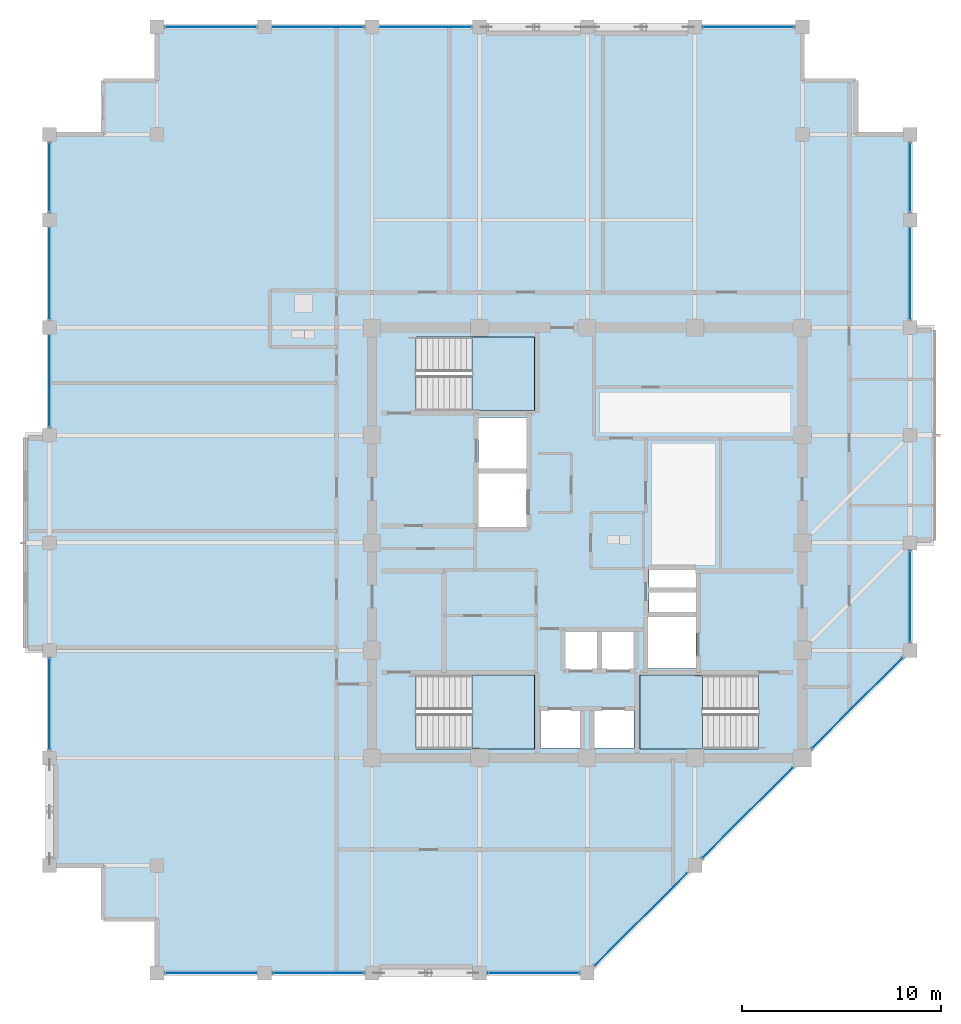
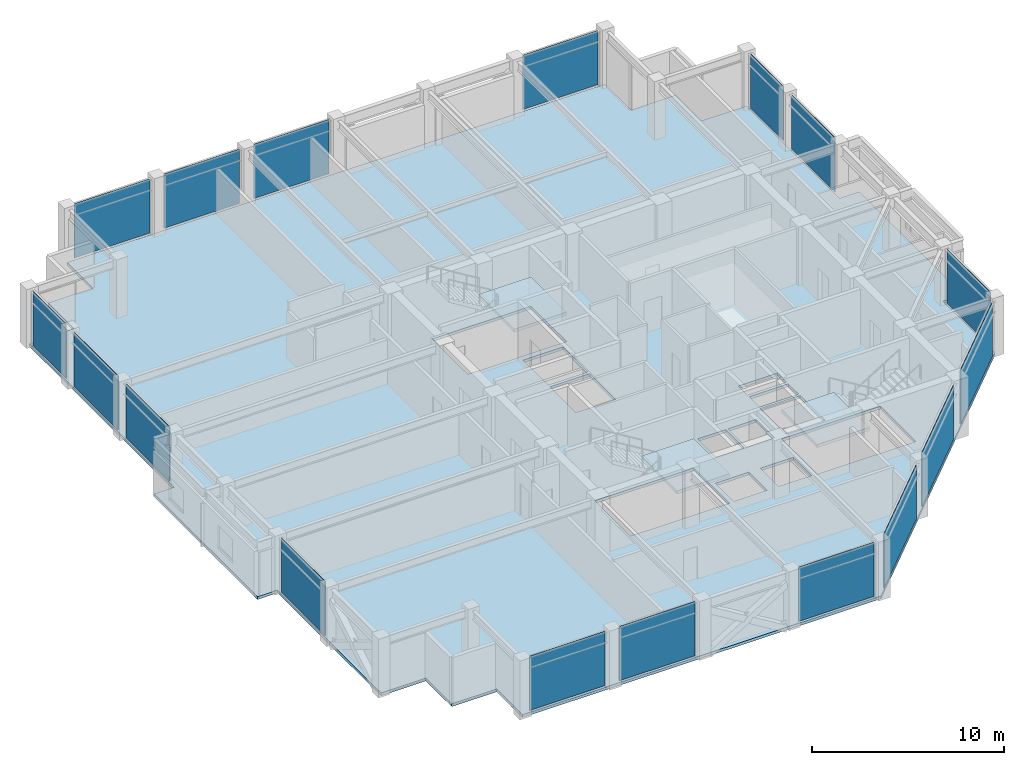
# One storey, part 20 of 29: 17 plates, 4 slabs, 12 elements without a shape of their own.
"""IFC4 building model written with IfcOpenShell, lengths in metres."""

from ifc_helpers import new_model, si_unit, direction, frame, frame_2d, origin, place, context, subcontext, project, spatial, polyline, rectangle, outline, extrude, material, layer, layer_set, type_object, element, aggregate, save


model = new_model("IFC4")

# Units and contexts
model_context = context("Model", 3, precision=1e-05, world=origin(), true_north=direction((0.0, 1.0)))
body_context = subcontext(model_context, "Body", "Model", "MODEL_VIEW")
ifc_project = project(units=[si_unit("LENGTHUNIT", "METRE"), si_unit("AREAUNIT", "SQUARE_METRE"), si_unit("VOLUMEUNIT", "CUBIC_METRE"), si_unit("PLANEANGLEUNIT", "RADIAN"), si_unit("MASSUNIT", "GRAM", prefix="KILO")], contexts=[model_context])

# Site, building, storey
site_placement = place(None, origin())
site = spatial("IfcSite", under=ifc_project, at=site_placement, CompositionType="ELEMENT")
building_placement = place(site_placement, origin())
building = spatial("IfcBuilding", under=site, at=building_placement, Name="Surkhivell Harbour Commons", CompositionType="ELEMENT")
storey_placement = place(building_placement, frame((0.0, 0.0, 273.75)))
storey = spatial("IfcBuildingStorey", under=building, at=storey_placement, Name="L71", CompositionType="ELEMENT", Elevation=273.75)

# Curtain wall, plates
ifc_material_1 = material(Name="Anodised pale-metal aluminium and insulated glazing", Category="aluminium")
ifc_layer_1 = layer(ifc_material_1, 0.175048828125)
ifc_layer_set_1 = layer_set([ifc_layer_1], Name="Anodised pale-metal aluminium and insulated glazing")
curtain_wall_type = type_object("IfcCurtainWallType", Name="CW-SYS-Z4", PredefinedType="NOTDEFINED", material=ifc_layer_set_1)
curtain_wall_1_placement = place(storey_placement, origin())
curtain_wall_1 = element("IfcCurtainWall", 1, at=curtain_wall_1_placement, inside=storey, type_object=curtain_wall_type, Name="L71 Curtain Wall CW-L71-E00S1", PredefinedType="NOTDEFINED")
ifc_material_2 = material(Name="Double-silver low-E laminated vision glass", Category="glass")
ifc_layer_2 = layer(ifc_material_2, 0.031982421875)
ifc_layer_set_2 = layer_set([ifc_layer_2], Name="Double-silver low-E laminated vision glass")
plate_type = type_object("IfcPlateType", Name="CWP-GLZ-32", PredefinedType="CURTAIN_PANEL", material=ifc_layer_set_2)
plate_1_placement = place(storey_placement, frame((-21.173095703125, -21.60009765625, 0.1298828125), z_axis=(0.0, 0.0, 1.0), x_axis=(1.0, 0.0, 0.0)))
plate_1 = element("IfcPlate", 2, at=plate_1_placement, type_object=plate_type, Name="CW-Z4 panel 1.1", PredefinedType="CURTAIN_PANEL", context=body_context, shape_type="SweptSolid", body=[
    extrude(rectangle(XDim=4.546142578125, YDim=0.031982421875, at=frame_2d((2.27294921875, 0.0))), origin(), (0.0, 0.0, 1.0), 3.440185546875),
])
plate_2_placement = place(storey_placement, frame((-15.77294921875, -21.60009765625, 0.1298828125), z_axis=(0.0, 0.0, 1.0), x_axis=(1.0, 0.0, 0.0)))
plate_2 = element("IfcPlate", 3, at=plate_2_placement, type_object=plate_type, Name="CW-Z4 panel 2.1", PredefinedType="CURTAIN_PANEL", context=body_context, shape_type="SweptSolid", body=[
    extrude(rectangle(XDim=4.5458984375, YDim=0.031982421875, at=frame_2d((2.27294921875, 0.0))), origin(), (0.0, 0.0, 1.0), 3.440185546875),
])
aggregate(curtain_wall_1, [plate_1, plate_2])

# Curtain wall, plate
curtain_wall_2_placement = place(storey_placement, origin())
curtain_wall_2 = element("IfcCurtainWall", 4, at=curtain_wall_2_placement, inside=storey, type_object=curtain_wall_type, Name="L71 Curtain Wall CW-L71-E00S2", PredefinedType="NOTDEFINED")
plate_3_placement = place(storey_placement, frame((-4.972900390625, -21.60009765625, 0.1298828125), z_axis=(0.0, 0.0, 1.0), x_axis=(1.0, 0.0, 0.0)))
plate_3 = element("IfcPlate", 5, at=plate_3_placement, type_object=plate_type, Name="CW-Z4 panel 1.1", PredefinedType="CURTAIN_PANEL", context=body_context, shape_type="SweptSolid", body=[
    extrude(rectangle(XDim=4.5458984375, YDim=0.031982421875, at=frame_2d((2.27294921875, 0.0))), origin(), (0.0, 0.0, 1.0), 3.440185546875),
])
aggregate(curtain_wall_2, [plate_3])

# Curtain wall, plates
curtain_wall_3_placement = place(storey_placement, origin())
curtain_wall_3 = element("IfcCurtainWall", 6, at=curtain_wall_3_placement, inside=storey, type_object=curtain_wall_type, Name="L71 Curtain Wall CW-L71-E01", PredefinedType="NOTDEFINED")
plate_4_placement = place(storey_placement, frame((0.404541015625, -21.1953125, 0.1298828125), z_axis=(0.0, 0.0, 1.0), x_axis=(0.707125583467, 0.707087978406, 0.0)))
plate_4 = element("IfcPlate", 7, at=plate_4_placement, type_object=plate_type, Name="CW-Z4 panel 1.1", PredefinedType="CURTAIN_PANEL", context=body_context, shape_type="SweptSolid", body=[
    extrude(rectangle(XDim=6.4921875, YDim=0.031982421875, at=frame_2d((3.24609375, 0.0))), origin(), (0.0, 0.0, 1.0), 3.440185546875),
])
plate_5_placement = place(storey_placement, frame((5.8046875, -15.79541015625, 0.1298828125), z_axis=(0.0, 0.0, 1.0), x_axis=(0.707106781187, 0.707106781187, 0.0)))
plate_5 = element("IfcPlate", 8, at=plate_5_placement, type_object=plate_type, Name="CW-Z4 panel 2.1", PredefinedType="CURTAIN_PANEL", context=body_context, shape_type="SweptSolid", body=[
    extrude(rectangle(XDim=6.350830078125, YDim=0.031982421875, at=frame_2d((3.17529296875, 0.0))), origin(), (0.0, 0.0, 1.0), 3.440185546875),
])
plate_6_placement = place(storey_placement, frame((11.3046875, -10.29541015625, 0.1298828125), z_axis=(0.0, 0.0, 1.0), x_axis=(0.707106781187, 0.707106781187, 0.0)))
plate_6 = element("IfcPlate", 9, at=plate_6_placement, type_object=plate_type, Name="CW-Z4 panel 3.1", PredefinedType="CURTAIN_PANEL", context=body_context, shape_type="SweptSolid", body=[
    extrude(rectangle(XDim=6.350830078125, YDim=0.031982421875, at=frame_2d((3.17529296875, 0.0))), origin(), (0.0, 0.0, 1.0), 3.440185546875),
])
aggregate(curtain_wall_3, [plate_4, plate_5, plate_6])

# Curtain wall, plate
curtain_wall_4_placement = place(storey_placement, origin())
curtain_wall_4 = element("IfcCurtainWall", 10, at=curtain_wall_4_placement, inside=storey, type_object=curtain_wall_type, Name="L71 Curtain Wall CW-L71-E02R1", PredefinedType="NOTDEFINED")
plate_7_placement = place(storey_placement, frame((16.199951171875, -4.972900390625, 0.1298828125), z_axis=(0.0, 0.0, 1.0), x_axis=(0.0, 1.0, 0.0)))
plate_7 = element("IfcPlate", 11, at=plate_7_placement, type_object=plate_type, Name="CW-Z4 panel 1.1", PredefinedType="CURTAIN_PANEL", context=body_context, shape_type="SweptSolid", body=[
    extrude(rectangle(XDim=4.5458984375, YDim=0.031982421875, at=frame_2d((2.27294921875, 0.0))), origin(), (0.0, 0.0, 1.0), 3.440185546875),
])
aggregate(curtain_wall_4, [plate_7])

# Curtain wall, plates
curtain_wall_5_placement = place(storey_placement, origin())
curtain_wall_5 = element("IfcCurtainWall", 12, at=curtain_wall_5_placement, inside=storey, type_object=curtain_wall_type, Name="L71 Curtain Wall CW-L71-E02R2", PredefinedType="NOTDEFINED")
plate_8_placement = place(storey_placement, frame((16.199951171875, 11.22705078125, 0.1298828125), z_axis=(0.0, 0.0, 1.0), x_axis=(0.0, 1.0, 0.0)))
plate_8 = element("IfcPlate", 13, at=plate_8_placement, type_object=plate_type, Name="CW-Z4 panel 1.1", PredefinedType="CURTAIN_PANEL", context=body_context, shape_type="SweptSolid", body=[
    extrude(rectangle(XDim=4.5458984375, YDim=0.031982421875, at=frame_2d((2.27294921875, 0.0))), origin(), (0.0, 0.0, 1.0), 3.440185546875),
])
plate_9_placement = place(storey_placement, frame((16.199951171875, 16.626953125, 0.1298828125), z_axis=(0.0, 0.0, 1.0), x_axis=(0.0, 1.0, 0.0)))
plate_9 = element("IfcPlate", 14, at=plate_9_placement, type_object=plate_type, Name="CW-Z4 panel 2.1", PredefinedType="CURTAIN_PANEL", context=body_context, shape_type="SweptSolid", body=[
    extrude(rectangle(XDim=3.446044921875, YDim=0.031982421875, at=frame_2d((1.72314453125, 0.0))), origin(), (0.0, 0.0, 1.0), 3.440185546875),
])
aggregate(curtain_wall_5, [plate_8, plate_9])

# Curtain wall, plate
curtain_wall_6_placement = place(storey_placement, origin())
curtain_wall_6 = element("IfcCurtainWall", 15, at=curtain_wall_6_placement, inside=storey, type_object=curtain_wall_type, Name="L71 Curtain Wall CW-L71-E07S1", PredefinedType="NOTDEFINED")
plate_10_placement = place(storey_placement, frame((10.373046875, 25.89990234375, 0.1298828125), z_axis=(0.0, 0.0, 1.0), x_axis=(-1.0, 0.0, 0.0)))
plate_10 = element("IfcPlate", 16, at=plate_10_placement, type_object=plate_type, Name="CW-Z4 panel 1.1", PredefinedType="CURTAIN_PANEL", context=body_context, shape_type="SweptSolid", body=[
    extrude(rectangle(XDim=4.546142578125, YDim=0.031982421875, at=frame_2d((2.27294921875, 0.0))), origin(), (0.0, 0.0, 1.0), 3.440185546875),
])
aggregate(curtain_wall_6, [plate_10])

# Curtain wall, plates
curtain_wall_7_placement = place(storey_placement, origin())
curtain_wall_7 = element("IfcCurtainWall", 17, at=curtain_wall_7_placement, inside=storey, type_object=curtain_wall_type, Name="L71 Curtain Wall CW-L71-E07S2", PredefinedType="NOTDEFINED")
plate_11_placement = place(storey_placement, frame((-5.826904296875, 25.89990234375, 0.1298828125), z_axis=(0.0, 0.0, 1.0), x_axis=(-1.0, 0.0, 0.0)))
plate_11 = element("IfcPlate", 18, at=plate_11_placement, type_object=plate_type, Name="CW-Z4 panel 1.1", PredefinedType="CURTAIN_PANEL", context=body_context, shape_type="SweptSolid", body=[
    extrude(rectangle(XDim=4.546142578125, YDim=0.031982421875, at=frame_2d((2.27294921875, 0.0))), origin(), (0.0, 0.0, 1.0), 3.440185546875),
])
plate_12_placement = place(storey_placement, frame((-11.22705078125, 25.89990234375, 0.1298828125), z_axis=(0.0, 0.0, 1.0), x_axis=(-1.0, 0.0, 0.0)))
plate_12 = element("IfcPlate", 19, at=plate_12_placement, type_object=plate_type, Name="CW-Z4 panel 2.1", PredefinedType="CURTAIN_PANEL", context=body_context, shape_type="SweptSolid", body=[
    extrude(rectangle(XDim=4.5458984375, YDim=0.031982421875, at=frame_2d((2.27294921875, 0.0))), origin(), (0.0, 0.0, 1.0), 3.440185546875),
])
plate_13_placement = place(storey_placement, frame((-16.626953125, 25.89990234375, 0.1298828125), z_axis=(0.0, 0.0, 1.0), x_axis=(-1.0, 0.0, 0.0)))
plate_13 = element("IfcPlate", 20, at=plate_13_placement, type_object=plate_type, Name="CW-Z4 panel 3.1", PredefinedType="CURTAIN_PANEL", context=body_context, shape_type="SweptSolid", body=[
    extrude(rectangle(XDim=4.546142578125, YDim=0.031982421875, at=frame_2d((2.27294921875, 0.0))), origin(), (0.0, 0.0, 1.0), 3.440185546875),
])
aggregate(curtain_wall_7, [plate_11, plate_12, plate_13])

# Curtain wall, plate
curtain_wall_8_placement = place(storey_placement, origin())
curtain_wall_8 = element("IfcCurtainWall", 21, at=curtain_wall_8_placement, inside=storey, type_object=curtain_wall_type, Name="L71 Curtain Wall CW-L71-E12R1S1", PredefinedType="NOTDEFINED")
plate_14_placement = place(storey_placement, frame((-27.0, -10.373046875, 0.1298828125), z_axis=(0.0, 0.0, 1.0), x_axis=(0.0, 1.0, 0.0)))
plate_14 = element("IfcPlate", 22, at=plate_14_placement, type_object=plate_type, Name="CW-Z4 panel 1.1", PredefinedType="CURTAIN_PANEL", context=body_context, shape_type="SweptSolid", body=[
    extrude(rectangle(XDim=4.546142578125, YDim=0.031982421875, at=frame_2d((2.27294921875, 0.0))), origin(), (0.0, 0.0, 1.0), 3.440185546875),
])
aggregate(curtain_wall_8, [plate_14])

# Curtain wall, plates
curtain_wall_9_placement = place(storey_placement, origin())
curtain_wall_9 = element("IfcCurtainWall", 23, at=curtain_wall_9_placement, inside=storey, type_object=curtain_wall_type, Name="L71 Curtain Wall CW-L71-E12R2", PredefinedType="NOTDEFINED")
plate_15_placement = place(storey_placement, frame((-27.0, 5.826904296875, 0.1298828125), z_axis=(0.0, 0.0, 1.0), x_axis=(0.0, 1.0, 0.0)))
plate_15 = element("IfcPlate", 24, at=plate_15_placement, type_object=plate_type, Name="CW-Z4 panel 1.1", PredefinedType="CURTAIN_PANEL", context=body_context, shape_type="SweptSolid", body=[
    extrude(rectangle(XDim=4.546142578125, YDim=0.031982421875, at=frame_2d((2.27294921875, 0.0))), origin(), (0.0, 0.0, 1.0), 3.440185546875),
])
plate_16_placement = place(storey_placement, frame((-27.0, 11.22705078125, 0.1298828125), z_axis=(0.0, 0.0, 1.0), x_axis=(0.0, 1.0, 0.0)))
plate_16 = element("IfcPlate", 25, at=plate_16_placement, type_object=plate_type, Name="CW-Z4 panel 2.1", PredefinedType="CURTAIN_PANEL", context=body_context, shape_type="SweptSolid", body=[
    extrude(rectangle(XDim=4.5458984375, YDim=0.031982421875, at=frame_2d((2.27294921875, 0.0))), origin(), (0.0, 0.0, 1.0), 3.440185546875),
])
plate_17_placement = place(storey_placement, frame((-27.0, 16.626953125, 0.1298828125), z_axis=(0.0, 0.0, 1.0), x_axis=(0.0, 1.0, 0.0)))
plate_17 = element("IfcPlate", 26, at=plate_17_placement, type_object=plate_type, Name="CW-Z4 panel 3.1", PredefinedType="CURTAIN_PANEL", context=body_context, shape_type="SweptSolid", body=[
    extrude(rectangle(XDim=3.446044921875, YDim=0.031982421875, at=frame_2d((1.72314453125, 0.0))), origin(), (0.0, 0.0, 1.0), 3.440185546875),
])
aggregate(curtain_wall_9, [plate_15, plate_16, plate_17])

# Stair, slab
ifc_material_3 = material(Name="Precast concrete C45/55", Category="concrete")
stair_type = type_object("IfcStairType", Name="STR-DL-375", PredefinedType="HALF_TURN_STAIR", material=ifc_material_3)
stair_1_placement = place(storey_placement, origin())
stair_1 = element("IfcStair", 27, at=stair_1_placement, inside=storey, type_object=stair_type, Name="L71 Core Exit Stair ST1", PredefinedType="HALF_TURN_STAIR")
ifc_material_4 = material(Name="Reinforced concrete C45/55", Category="concrete")
ifc_layer_3 = layer(ifc_material_4, 0.199951171875)
ifc_layer_set_3 = layer_set([ifc_layer_3], Name="Reinforced concrete C45/55")
slab_type_1 = type_object("IfcSlabType", Name="SLB-ST-LND200", PredefinedType="LANDING", material=ifc_layer_set_3)
slab_1_placement = place(storey_placement, frame((0.0, 0.0, 1.675048828125)))
slab_1 = element("IfcSlab", 28, at=slab_1_placement, type_object=slab_type_1, Name="ST1 landing 1", PredefinedType="LANDING", context=body_context, shape_type="SweptSolid", body=[
    extrude(outline(polyline([(-5.7900390625, 6.639892578125), (-2.639892578125, 6.639892578125), (-2.639892578125, 10.340087890625), (-5.7900390625, 10.340087890625), (-5.7900390625, 6.639892578125)])), origin(), (0.0, 0.0, 1.0), 0.199951171875),
])
aggregate(stair_1, [slab_1])

stair_2_placement = place(storey_placement, origin())
stair_2 = element("IfcStair", 29, at=stair_2_placement, inside=storey, type_object=stair_type, Name="L71 Core Exit Stair ST2", PredefinedType="HALF_TURN_STAIR")
slab_2_placement = place(storey_placement, frame((0.0, 0.0, 1.675048828125)))
slab_2 = element("IfcSlab", 30, at=slab_2_placement, type_object=slab_type_1, Name="ST2 landing 1", PredefinedType="LANDING", context=body_context, shape_type="SweptSolid", body=[
    extrude(outline(polyline([(5.7900390625, -6.639892578125), (2.639892578125, -6.639892578125), (2.639892578125, -10.340087890625), (5.7900390625, -10.340087890625), (5.7900390625, -6.639892578125)])), origin(), (0.0, 0.0, 1.0), 0.199951171875),
])
aggregate(stair_2, [slab_2])

stair_3_placement = place(storey_placement, origin())
stair_3 = element("IfcStair", 31, at=stair_3_placement, inside=storey, type_object=stair_type, Name="L71 Core Exit Stair ST3", PredefinedType="HALF_TURN_STAIR")
slab_3_placement = place(storey_placement, frame((0.0, 0.0, 1.675048828125)))
slab_3 = element("IfcSlab", 32, at=slab_3_placement, type_object=slab_type_1, Name="ST3 landing 1", PredefinedType="LANDING", context=body_context, shape_type="SweptSolid", body=[
    extrude(outline(polyline([(-5.7900390625, -10.340087890625), (-2.639892578125, -10.340087890625), (-2.639892578125, -6.639892578125), (-5.7900390625, -6.639892578125), (-5.7900390625, -10.340087890625)])), origin(), (0.0, 0.0, 1.0), 0.199951171875),
])
aggregate(stair_3, [slab_3])

# Slab
ifc_material_5 = material(Name="Concrete C45/55", Category="concrete")
ifc_layer_4 = layer(ifc_material_5, 0.179931640625)
ifc_layer_set_4 = layer_set([ifc_layer_4], Name="Concrete C45/55")
slab_type_2 = type_object("IfcSlabType", Name="SLB-TYP-180", PredefinedType="FLOOR", material=ifc_layer_set_4)
slab_4_placement = place(storey_placement, frame((0.0, 0.0, -0.179931640625)))
element("IfcSlab", 33, at=slab_4_placement, inside=storey, type_object=slab_type_2, Name="L71 Structural Floor Slab", PredefinedType="FLOOR", context=body_context, shape_type="SweptSolid", body=[
    extrude(outline(polyline([(-27.0, 20.5), (-27.0, 5.39990234375), (-28.199951171875, 5.39990234375), (-28.199951171875, -5.39990234375), (-27.0, -5.39990234375), (-27.0, -16.199951171875), (-24.300048828125, -16.199951171875), (-24.300048828125, -18.89990234375), (-21.60009765625, -18.89990234375), (-21.60009765625, -21.60009765625), (0.0, -21.60009765625), (16.199951171875, -5.39990234375), (16.199951171875, 0.0), (17.39990234375, 0.0), (17.39990234375, 10.800048828125), (16.199951171875, 10.800048828125), (16.199951171875, 20.5), (13.5, 20.5), (13.5, 23.199951171875), (10.800048828125, 23.199951171875), (10.800048828125, 25.89990234375), (-21.60009765625, 25.89990234375), (-21.60009765625, 23.199951171875), (-24.300048828125, 23.199951171875), (-24.300048828125, 20.5), (-27.0, 20.5)]), holes=[polyline([(-8.590087890625, 6.639892578125), (-2.639892578125, 6.639892578125), (-2.639892578125, 10.340087890625), (-8.590087890625, 10.340087890625), (-8.590087890625, 6.639892578125)]), polyline([(8.590087890625, -6.639892578125), (2.639892578125, -6.639892578125), (2.639892578125, -10.340087890625), (8.590087890625, -10.340087890625), (8.590087890625, -6.639892578125)]), polyline([(-8.590087890625, -10.340087890625), (-2.639892578125, -10.340087890625), (-2.639892578125, -6.639892578125), (-8.590087890625, -6.639892578125), (-8.590087890625, -10.340087890625)]), polyline([(-1.14990234375, -6.35009765625), (0.550048828125, -6.35009765625), (0.550048828125, -4.449951171875), (-1.14990234375, -4.449951171875), (-1.14990234375, -6.35009765625)]), polyline([(0.679931640625, -6.35009765625), (2.3798828125, -6.35009765625), (2.3798828125, -4.449951171875), (0.679931640625, -4.449951171875), (0.679931640625, -6.35009765625)]), polyline([(-2.35009765625, -10.300048828125), (-0.35009765625, -10.300048828125), (-0.35009765625, -8.39990234375), (-2.35009765625, -8.39990234375), (-2.35009765625, -10.300048828125)]), polyline([(0.35009765625, -10.300048828125), (2.35009765625, -10.300048828125), (2.35009765625, -8.39990234375), (0.35009765625, -8.39990234375), (0.35009765625, -10.300048828125)]), polyline([(-5.449951171875, 3.699951171875), (-3.050048828125, 3.699951171875), (-3.050048828125, 6.300048828125), (-5.449951171875, 6.300048828125), (-5.449951171875, 3.699951171875)]), polyline([(3.050048828125, -6.300048828125), (5.449951171875, -6.300048828125), (5.449951171875, -3.699951171875), (3.050048828125, -3.699951171875), (3.050048828125, -6.300048828125)]), polyline([(-5.449951171875, 0.800048828125), (-3.050048828125, 0.800048828125), (-3.050048828125, 3.5), (-5.449951171875, 3.5), (-5.449951171875, 0.800048828125)]), polyline([(3.10009765625, -3.550048828125), (5.449951171875, -3.550048828125), (5.449951171875, -2.47998046875), (3.10009765625, -2.47998046875), (3.10009765625, -3.550048828125)]), polyline([(3.10009765625, -2.280029296875), (5.449951171875, -2.280029296875), (5.449951171875, -1.35009765625), (3.10009765625, -1.35009765625), (3.10009765625, -2.280029296875)])]), origin(), (0.0, 0.0, 1.0), 0.179931640625),
])

save(model, "model.ifc")
